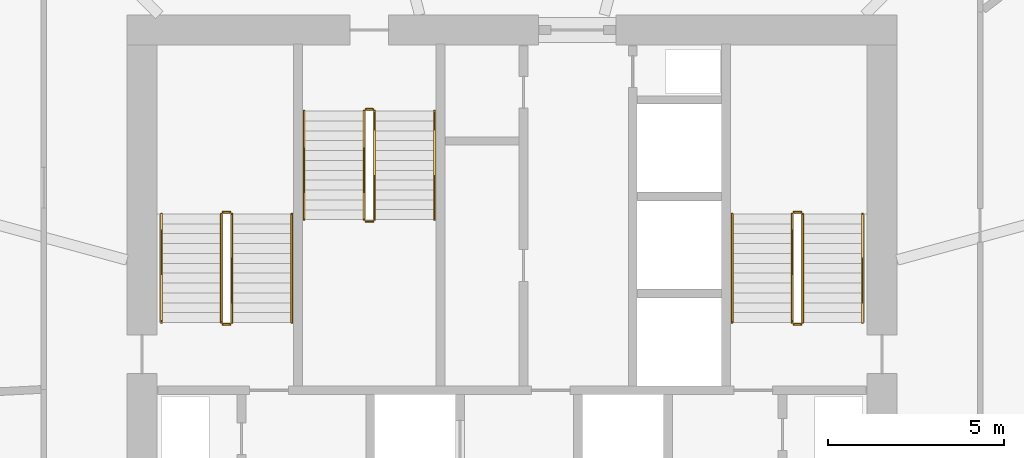
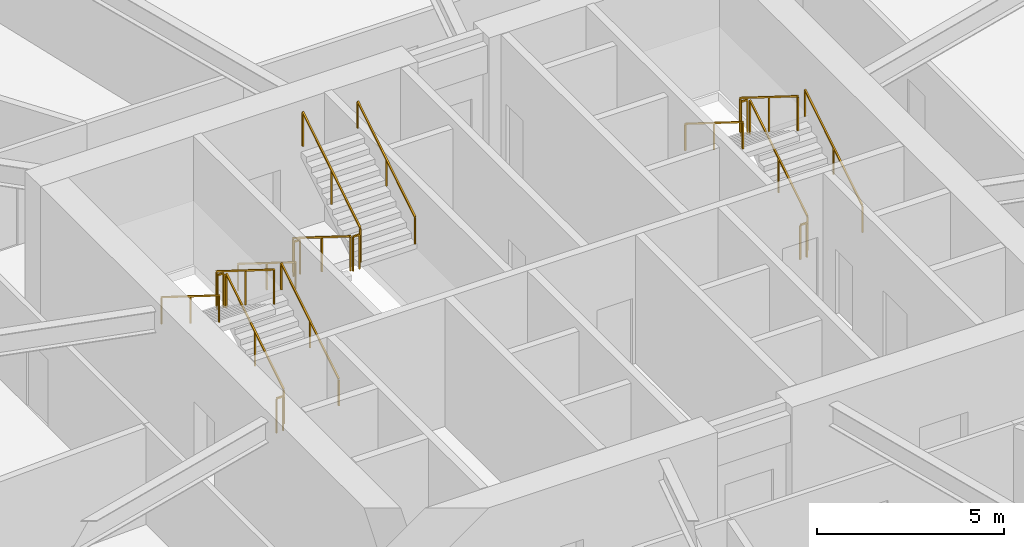
# One storey, part 25 of 25: 18 railings.
"""IFC4 building model written with IfcOpenShell, lengths in metres."""

from ifc_helpers import new_model, si_unit, direction, frame, origin, origin_2d, place, context, subcontext, project, spatial, rectangle, extrude, material, type_object, element, save


model = new_model("IFC4")

# Units and contexts
model_context = context("Model", 3, precision=1e-05, world=origin(), true_north=direction((0.0, 1.0)))
body_context = subcontext(model_context, "Body", "Model", "MODEL_VIEW")
ifc_project = project(units=[si_unit("LENGTHUNIT", "METRE"), si_unit("AREAUNIT", "SQUARE_METRE"), si_unit("VOLUMEUNIT", "CUBIC_METRE"), si_unit("PLANEANGLEUNIT", "RADIAN"), si_unit("MASSUNIT", "GRAM", prefix="KILO")], contexts=[model_context])

# Site, building, storey
site_placement = place(None, origin())
site = spatial("IfcSite", under=ifc_project, at=site_placement, CompositionType="ELEMENT")
building_placement = place(site_placement, origin())
building = spatial("IfcBuilding", under=site, at=building_placement, Name="Zuhravey Tower", CompositionType="ELEMENT")
storey_placement = place(building_placement, frame((0.0, 0.0, 37.199951171875)))
storey = spatial("IfcBuildingStorey", under=building, at=storey_placement, Name="L09", CompositionType="ELEMENT", Elevation=37.199951171875)

# Railings
ifc_material_1 = material(Name="Brushed stainless steel", Category="steel")
railing_type_1 = type_object("IfcRailingType", Name="Stair Wall Handrail 900", PredefinedType="HANDRAIL", material=ifc_material_1)
railing_1_placement = place(storey_placement, frame((29.75, 33.199951171875, 0.175048828125)))
element("IfcRailing", 1, at=railing_1_placement, inside=storey, type_object=railing_type_1, Name="L09 ST1 stair handrail 1", PredefinedType="HANDRAIL", context=body_context, shape_type="SweptSolid", body=[
    extrude(rectangle(XDim=0.048095703125, YDim=0.048095703125, at=origin_2d()), frame((0.0, 0.001708984375, 0.876953125), z_axis=(0.0, 0.847998304005, 0.529998940003), x_axis=(-1.0, 0.0, 0.0)), (0.0, 0.0, 1.0), 3.628173828125),
    extrude(rectangle(XDim=0.0419921875, YDim=0.0419921875, at=origin_2d()), origin(), (0.0, 0.0, 1.0), 0.849853515625),
    extrude(rectangle(XDim=0.0419921875, YDim=0.0419921875, at=origin_2d()), frame((0.0, 1.5400390625, 0.96240234375)), (0.0, 0.0, 1.0), 0.849853515625),
    extrude(rectangle(XDim=0.0419921875, YDim=0.0419921875, at=origin_2d()), frame((0.0, 3.080078125, 1.925048828125)), (0.0, 0.0, 1.0), 0.849853515625),
])
railing_2_placement = place(storey_placement, frame((26.050048828125, 36.280029296875, 2.275146484375)))
element("IfcRailing", 2, at=railing_2_placement, inside=storey, type_object=railing_type_1, Name="L09 ST1 stair handrail 2", PredefinedType="HANDRAIL", context=body_context, shape_type="SweptSolid", body=[
    extrude(rectangle(XDim=0.048095703125, YDim=0.048095703125, at=origin_2d()), frame((0.0, -0.001708984375, 0.876953125), z_axis=(0.0, -0.848028513186, 0.529950602248), x_axis=(1.0, 0.0, 0.0)), (0.0, 0.0, 1.0), 3.6279296875),
    extrude(rectangle(XDim=0.0419921875, YDim=0.0419921875, at=origin_2d()), origin(), (0.0, 0.0, 1.0), 0.849853515625),
    extrude(rectangle(XDim=0.0419921875, YDim=0.0419921875, at=origin_2d()), frame((0.0, -1.5400390625, 0.96240234375)), (0.0, 0.0, 1.0), 0.849853515625),
    extrude(rectangle(XDim=0.0419921875, YDim=0.0419921875, at=origin_2d()), frame((0.0, -3.080078125, 1.9248046875)), (0.0, 0.0, 1.0), 0.849853515625),
])
railing_3_placement = place(storey_placement, frame((45.949951171875, 33.199951171875, 0.175048828125)))
element("IfcRailing", 3, at=railing_3_placement, inside=storey, type_object=railing_type_1, Name="L09 ST2 stair handrail 1", PredefinedType="HANDRAIL", context=body_context, shape_type="SweptSolid", body=[
    extrude(rectangle(XDim=0.048095703125, YDim=0.048095703125, at=origin_2d()), frame((0.0, 0.001708984375, 0.876953125), z_axis=(0.0, 0.847998304005, 0.529998940003), x_axis=(-1.0, 0.0, 0.0)), (0.0, 0.0, 1.0), 3.628173828125),
    extrude(rectangle(XDim=0.0419921875, YDim=0.0419921875, at=origin_2d()), origin(), (0.0, 0.0, 1.0), 0.849853515625),
    extrude(rectangle(XDim=0.0419921875, YDim=0.0419921875, at=origin_2d()), frame((0.0, 1.5400390625, 0.96240234375)), (0.0, 0.0, 1.0), 0.849853515625),
    extrude(rectangle(XDim=0.0419921875, YDim=0.0419921875, at=origin_2d()), frame((0.0, 3.080078125, 1.925048828125)), (0.0, 0.0, 1.0), 0.849853515625),
])
railing_4_placement = place(storey_placement, frame((42.25, 36.280029296875, 2.275146484375)))
element("IfcRailing", 4, at=railing_4_placement, inside=storey, type_object=railing_type_1, Name="L09 ST2 stair handrail 2", PredefinedType="HANDRAIL", context=body_context, shape_type="SweptSolid", body=[
    extrude(rectangle(XDim=0.048095703125, YDim=0.048095703125, at=origin_2d()), frame((0.0, -0.001708984375, 0.876953125), z_axis=(0.0, -0.848028513186, 0.529950602248), x_axis=(1.0, 0.0, 0.0)), (0.0, 0.0, 1.0), 3.6279296875),
    extrude(rectangle(XDim=0.0419921875, YDim=0.0419921875, at=origin_2d()), origin(), (0.0, 0.0, 1.0), 0.849853515625),
    extrude(rectangle(XDim=0.0419921875, YDim=0.0419921875, at=origin_2d()), frame((0.0, -1.5400390625, 0.96240234375)), (0.0, 0.0, 1.0), 0.849853515625),
    extrude(rectangle(XDim=0.0419921875, YDim=0.0419921875, at=origin_2d()), frame((0.0, -3.080078125, 1.9248046875)), (0.0, 0.0, 1.0), 0.849853515625),
])
railing_5_placement = place(storey_placement, frame((30.10009765625, 39.199951171875, 0.175048828125)))
element("IfcRailing", 5, at=railing_5_placement, inside=storey, type_object=railing_type_1, Name="L09 ST3 stair handrail 1", PredefinedType="HANDRAIL", context=body_context, shape_type="SweptSolid", body=[
    extrude(rectangle(XDim=0.048095703125, YDim=0.048095703125, at=origin_2d()), frame((0.0, -0.001708984375, 0.876953125), z_axis=(0.0, -0.847979421464, 0.530029150871), x_axis=(1.0, 0.0, 0.0)), (0.0, 0.0, 1.0), 3.6279296875),
    extrude(rectangle(XDim=0.0419921875, YDim=0.0419921875, at=origin_2d()), origin(), (0.0, 0.0, 1.0), 0.849853515625),
    extrude(rectangle(XDim=0.0419921875, YDim=0.0419921875, at=origin_2d()), frame((0.0, -1.5400390625, 0.96240234375)), (0.0, 0.0, 1.0), 0.849853515625),
    extrude(rectangle(XDim=0.0419921875, YDim=0.0419921875, at=origin_2d()), frame((0.0, -3.079833984375, 1.925048828125)), (0.0, 0.0, 1.0), 0.849853515625),
])
railing_6_placement = place(storey_placement, frame((33.800048828125, 36.1201171875, 2.275146484375)))
element("IfcRailing", 6, at=railing_6_placement, inside=storey, type_object=railing_type_1, Name="L09 ST3 stair handrail 2", PredefinedType="HANDRAIL", context=body_context, shape_type="SweptSolid", body=[
    extrude(rectangle(XDim=0.048095703125, YDim=0.048095703125, at=origin_2d()), frame((0.0, 0.001708984375, 0.876953125), z_axis=(0.0, 0.848009633417, 0.529980812513), x_axis=(-1.0, 0.0, 0.0)), (0.0, 0.0, 1.0), 3.6279296875),
    extrude(rectangle(XDim=0.0419921875, YDim=0.0419921875, at=origin_2d()), origin(), (0.0, 0.0, 1.0), 0.849853515625),
    extrude(rectangle(XDim=0.0419921875, YDim=0.0419921875, at=origin_2d()), frame((0.0, 1.5400390625, 0.96240234375)), (0.0, 0.0, 1.0), 0.849853515625),
    extrude(rectangle(XDim=0.0419921875, YDim=0.0419921875, at=origin_2d()), frame((0.0, 3.079833984375, 1.9248046875)), (0.0, 0.0, 1.0), 0.849853515625),
])
ifc_material_2 = material(Name="Painted tubular steel", Category="steel")
railing_type_2 = type_object("IfcRailingType", Name="Stair Well Guardrail 1150", PredefinedType="GUARDRAIL", material=ifc_material_2)
railing_7_placement = place(storey_placement, frame((28.050048828125, 33.199951171875, 0.175048828125)))
element("IfcRailing", 7, at=railing_7_placement, inside=storey, type_object=railing_type_2, Name="L09 ST1 stair guard 1", PredefinedType="GUARDRAIL", context=body_context, shape_type="SweptSolid", body=[
    extrude(rectangle(XDim=0.048095703125, YDim=0.048095703125, at=origin_2d()), frame((0.0, 0.001708984375, 1.126953125), z_axis=(0.0, 0.847998304005, 0.529998940003), x_axis=(-1.0, 0.0, 0.0)), (0.0, 0.0, 1.0), 3.628173828125),
    extrude(rectangle(XDim=0.0419921875, YDim=0.0419921875, at=origin_2d()), origin(), (0.0, 0.0, 1.0), 1.099853515625),
    extrude(rectangle(XDim=0.0419921875, YDim=0.0419921875, at=origin_2d()), frame((0.0, 1.5400390625, 0.96240234375)), (0.0, 0.0, 1.0), 1.099853515625),
    extrude(rectangle(XDim=0.0419921875, YDim=0.0419921875, at=origin_2d()), frame((0.0, 3.080078125, 1.925048828125)), (0.0, 0.0, 1.0), 1.099853515625),
])
railing_8_placement = place(storey_placement, frame((28.0, 36.330078125, 2.10009765625)))
element("IfcRailing", 8, at=railing_8_placement, inside=storey, type_object=railing_type_2, Name="L09 ST1 stair guard 2", PredefinedType="GUARDRAIL", context=body_context, shape_type="SweptSolid", body=[
    extrude(rectangle(XDim=0.048095703125, YDim=0.048095703125, at=origin_2d()), frame((-0.001953125, 0.0, 1.1259765625), z_axis=(-1.0, 0.0, 0.0), x_axis=(0.0, -1.0, 0.0)), (0.0, 0.0, 1.0), 0.196044921875),
    extrude(rectangle(XDim=0.0419921875, YDim=0.0419921875, at=origin_2d()), origin(), (0.0, 0.0, 1.0), 1.099853515625),
    extrude(rectangle(XDim=0.0419921875, YDim=0.0419921875, at=origin_2d()), frame((-0.199951171875, 0.0, 0.0)), (0.0, 0.0, 1.0), 1.099853515625),
])
railing_9_placement = place(storey_placement, frame((27.75, 36.280029296875, 2.275146484375)))
element("IfcRailing", 9, at=railing_9_placement, inside=storey, type_object=railing_type_2, Name="L09 ST1 stair guard 3", PredefinedType="GUARDRAIL", context=body_context, shape_type="SweptSolid", body=[
    extrude(rectangle(XDim=0.048095703125, YDim=0.048095703125, at=origin_2d()), frame((0.0, -0.001708984375, 1.126953125), z_axis=(0.0, -0.848028513186, 0.529950602248), x_axis=(1.0, 0.0, 0.0)), (0.0, 0.0, 1.0), 3.6279296875),
    extrude(rectangle(XDim=0.0419921875, YDim=0.0419921875, at=origin_2d()), origin(), (0.0, 0.0, 1.0), 1.099853515625),
    extrude(rectangle(XDim=0.0419921875, YDim=0.0419921875, at=origin_2d()), frame((0.0, -1.5400390625, 0.96240234375)), (0.0, 0.0, 1.0), 1.099853515625),
    extrude(rectangle(XDim=0.0419921875, YDim=0.0419921875, at=origin_2d()), frame((0.0, -3.080078125, 1.9248046875)), (0.0, 0.0, 1.0), 1.099853515625),
])
railing_10_placement = place(storey_placement, frame((28.0, 33.14990234375, 0.0)))
element("IfcRailing", 10, at=railing_10_placement, inside=storey, type_object=railing_type_2, Name="L09 ST1 stair guard 4", PredefinedType="GUARDRAIL", context=body_context, shape_type="SweptSolid", body=[
    extrude(rectangle(XDim=0.048095703125, YDim=0.048095703125, at=origin_2d()), frame((-0.001953125, 0.0, 1.1259765625), z_axis=(-1.0, 0.0, 0.0), x_axis=(0.0, -1.0, 0.0)), (0.0, 0.0, 1.0), 0.196044921875),
    extrude(rectangle(XDim=0.0419921875, YDim=0.0419921875, at=origin_2d()), origin(), (0.0, 0.0, 1.0), 1.099853515625),
    extrude(rectangle(XDim=0.0419921875, YDim=0.0419921875, at=origin_2d()), frame((-0.199951171875, 0.0, 0.0)), (0.0, 0.0, 1.0), 1.099853515625),
])
railing_11_placement = place(storey_placement, frame((44.25, 33.199951171875, 0.175048828125)))
element("IfcRailing", 11, at=railing_11_placement, inside=storey, type_object=railing_type_2, Name="L09 ST2 stair guard 1", PredefinedType="GUARDRAIL", context=body_context, shape_type="SweptSolid", body=[
    extrude(rectangle(XDim=0.048095703125, YDim=0.048095703125, at=origin_2d()), frame((0.0, 0.001708984375, 1.126953125), z_axis=(0.0, 0.847998304005, 0.529998940003), x_axis=(-1.0, 0.0, 0.0)), (0.0, 0.0, 1.0), 3.628173828125),
    extrude(rectangle(XDim=0.0419921875, YDim=0.0419921875, at=origin_2d()), origin(), (0.0, 0.0, 1.0), 1.099853515625),
    extrude(rectangle(XDim=0.0419921875, YDim=0.0419921875, at=origin_2d()), frame((0.0, 1.5400390625, 0.96240234375)), (0.0, 0.0, 1.0), 1.099853515625),
    extrude(rectangle(XDim=0.0419921875, YDim=0.0419921875, at=origin_2d()), frame((0.0, 3.080078125, 1.925048828125)), (0.0, 0.0, 1.0), 1.099853515625),
])
railing_12_placement = place(storey_placement, frame((44.199951171875, 36.330078125, 2.10009765625)))
element("IfcRailing", 12, at=railing_12_placement, inside=storey, type_object=railing_type_2, Name="L09 ST2 stair guard 2", PredefinedType="GUARDRAIL", context=body_context, shape_type="SweptSolid", body=[
    extrude(rectangle(XDim=0.048095703125, YDim=0.048095703125, at=origin_2d()), frame((-0.001953125, 0.0, 1.1259765625), z_axis=(-1.0, 0.0, 0.0), x_axis=(0.0, -1.0, 0.0)), (0.0, 0.0, 1.0), 0.196044921875),
    extrude(rectangle(XDim=0.0419921875, YDim=0.0419921875, at=origin_2d()), origin(), (0.0, 0.0, 1.0), 1.099853515625),
    extrude(rectangle(XDim=0.0419921875, YDim=0.0419921875, at=origin_2d()), frame((-0.199951171875, 0.0, 0.0)), (0.0, 0.0, 1.0), 1.099853515625),
])
railing_13_placement = place(storey_placement, frame((43.949951171875, 36.280029296875, 2.275146484375)))
element("IfcRailing", 13, at=railing_13_placement, inside=storey, type_object=railing_type_2, Name="L09 ST2 stair guard 3", PredefinedType="GUARDRAIL", context=body_context, shape_type="SweptSolid", body=[
    extrude(rectangle(XDim=0.048095703125, YDim=0.048095703125, at=origin_2d()), frame((0.0, -0.001708984375, 1.126953125), z_axis=(0.0, -0.848028513186, 0.529950602248), x_axis=(1.0, 0.0, 0.0)), (0.0, 0.0, 1.0), 3.6279296875),
    extrude(rectangle(XDim=0.0419921875, YDim=0.0419921875, at=origin_2d()), origin(), (0.0, 0.0, 1.0), 1.099853515625),
    extrude(rectangle(XDim=0.0419921875, YDim=0.0419921875, at=origin_2d()), frame((0.0, -1.5400390625, 0.96240234375)), (0.0, 0.0, 1.0), 1.099853515625),
    extrude(rectangle(XDim=0.0419921875, YDim=0.0419921875, at=origin_2d()), frame((0.0, -3.080078125, 1.9248046875)), (0.0, 0.0, 1.0), 1.099853515625),
])
railing_14_placement = place(storey_placement, frame((44.199951171875, 33.14990234375, 0.0)))
element("IfcRailing", 14, at=railing_14_placement, inside=storey, type_object=railing_type_2, Name="L09 ST2 stair guard 4", PredefinedType="GUARDRAIL", context=body_context, shape_type="SweptSolid", body=[
    extrude(rectangle(XDim=0.048095703125, YDim=0.048095703125, at=origin_2d()), frame((-0.001953125, 0.0, 1.1259765625), z_axis=(-1.0, 0.0, 0.0), x_axis=(0.0, -1.0, 0.0)), (0.0, 0.0, 1.0), 0.196044921875),
    extrude(rectangle(XDim=0.0419921875, YDim=0.0419921875, at=origin_2d()), origin(), (0.0, 0.0, 1.0), 1.099853515625),
    extrude(rectangle(XDim=0.0419921875, YDim=0.0419921875, at=origin_2d()), frame((-0.199951171875, 0.0, 0.0)), (0.0, 0.0, 1.0), 1.099853515625),
])
railing_15_placement = place(storey_placement, frame((31.800048828125, 39.199951171875, 0.175048828125)))
element("IfcRailing", 15, at=railing_15_placement, inside=storey, type_object=railing_type_2, Name="L09 ST3 stair guard 1", PredefinedType="GUARDRAIL", context=body_context, shape_type="SweptSolid", body=[
    extrude(rectangle(XDim=0.048095703125, YDim=0.048095703125, at=origin_2d()), frame((0.0, -0.001708984375, 1.126953125), z_axis=(0.0, -0.847979421464, 0.530029150871), x_axis=(1.0, 0.0, 0.0)), (0.0, 0.0, 1.0), 3.6279296875),
    extrude(rectangle(XDim=0.0419921875, YDim=0.0419921875, at=origin_2d()), origin(), (0.0, 0.0, 1.0), 1.099853515625),
    extrude(rectangle(XDim=0.0419921875, YDim=0.0419921875, at=origin_2d()), frame((0.0, -1.5400390625, 0.96240234375)), (0.0, 0.0, 1.0), 1.099853515625),
    extrude(rectangle(XDim=0.0419921875, YDim=0.0419921875, at=origin_2d()), frame((0.0, -3.079833984375, 1.925048828125)), (0.0, 0.0, 1.0), 1.099853515625),
])
railing_16_placement = place(storey_placement, frame((31.85009765625, 36.070068359375, 2.10009765625)))
element("IfcRailing", 16, at=railing_16_placement, inside=storey, type_object=railing_type_2, Name="L09 ST3 stair guard 2", PredefinedType="GUARDRAIL", context=body_context, shape_type="SweptSolid", body=[
    extrude(rectangle(XDim=0.048095703125, YDim=0.048095703125, at=origin_2d()), frame((0.001953125, 0.0, 1.1259765625), z_axis=(1.0, 0.0, 0.0), x_axis=(0.0, 1.0, 0.0)), (0.0, 0.0, 1.0), 0.196044921875),
    extrude(rectangle(XDim=0.0419921875, YDim=0.0419921875, at=origin_2d()), origin(), (0.0, 0.0, 1.0), 1.099853515625),
    extrude(rectangle(XDim=0.0419921875, YDim=0.0419921875, at=origin_2d()), frame((0.199951171875, 0.0, 0.0)), (0.0, 0.0, 1.0), 1.099853515625),
])
railing_17_placement = place(storey_placement, frame((32.10009765625, 36.1201171875, 2.275146484375)))
element("IfcRailing", 17, at=railing_17_placement, inside=storey, type_object=railing_type_2, Name="L09 ST3 stair guard 3", PredefinedType="GUARDRAIL", context=body_context, shape_type="SweptSolid", body=[
    extrude(rectangle(XDim=0.048095703125, YDim=0.048095703125, at=origin_2d()), frame((0.0, 0.001708984375, 1.126953125), z_axis=(0.0, 0.848009633417, 0.529980812513), x_axis=(-1.0, 0.0, 0.0)), (0.0, 0.0, 1.0), 3.6279296875),
    extrude(rectangle(XDim=0.0419921875, YDim=0.0419921875, at=origin_2d()), origin(), (0.0, 0.0, 1.0), 1.099853515625),
    extrude(rectangle(XDim=0.0419921875, YDim=0.0419921875, at=origin_2d()), frame((0.0, 1.5400390625, 0.96240234375)), (0.0, 0.0, 1.0), 1.099853515625),
    extrude(rectangle(XDim=0.0419921875, YDim=0.0419921875, at=origin_2d()), frame((0.0, 3.079833984375, 1.9248046875)), (0.0, 0.0, 1.0), 1.099853515625),
])
railing_18_placement = place(storey_placement, frame((31.85009765625, 39.25, 0.0)))
element("IfcRailing", 18, at=railing_18_placement, inside=storey, type_object=railing_type_2, Name="L09 ST3 stair guard 4", PredefinedType="GUARDRAIL", context=body_context, shape_type="SweptSolid", body=[
    extrude(rectangle(XDim=0.048095703125, YDim=0.048095703125, at=origin_2d()), frame((0.001953125, 0.0, 1.1259765625), z_axis=(1.0, 0.0, 0.0), x_axis=(0.0, 1.0, 0.0)), (0.0, 0.0, 1.0), 0.196044921875),
    extrude(rectangle(XDim=0.0419921875, YDim=0.0419921875, at=origin_2d()), origin(), (0.0, 0.0, 1.0), 1.099853515625),
    extrude(rectangle(XDim=0.0419921875, YDim=0.0419921875, at=origin_2d()), frame((0.199951171875, 0.0, 0.0)), (0.0, 0.0, 1.0), 1.099853515625),
])

save(model, "model.ifc")
